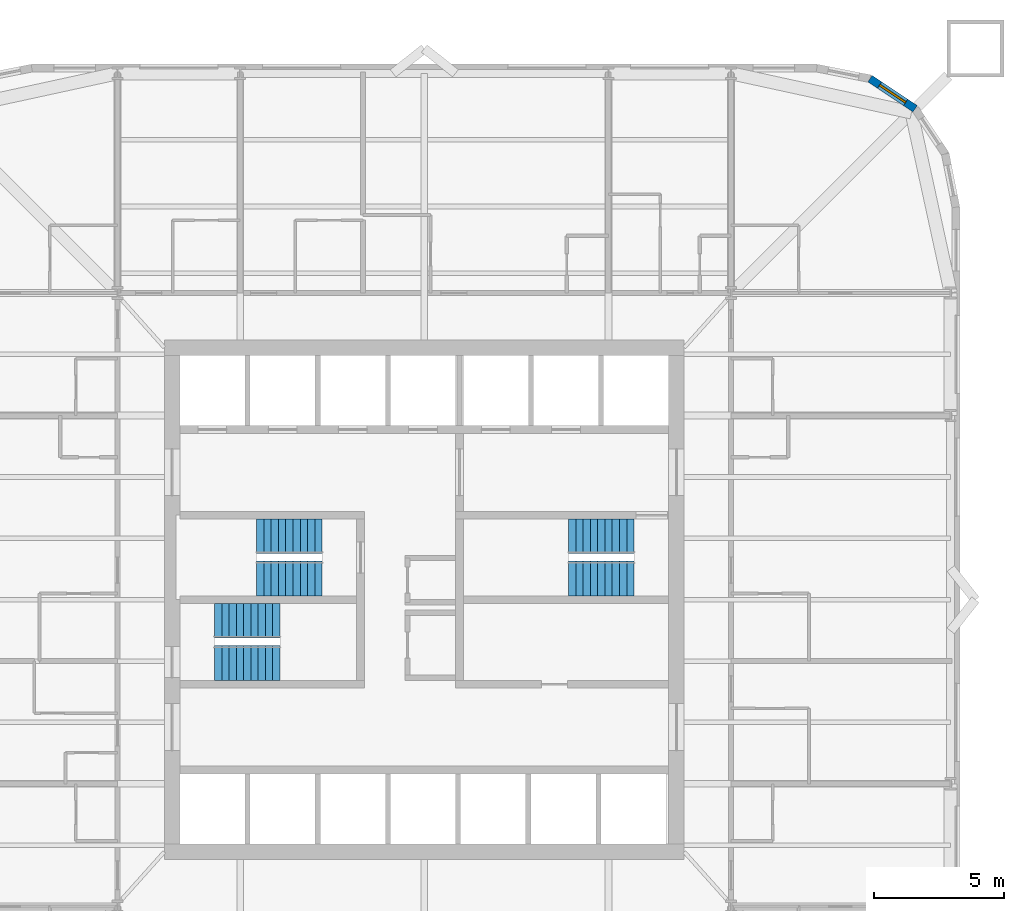
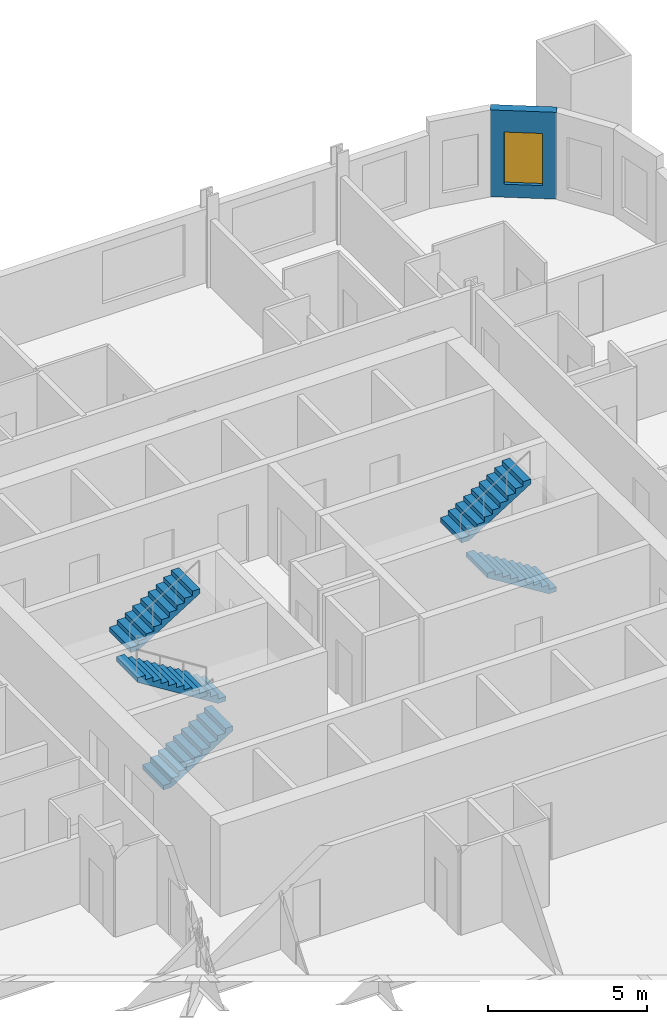
# One storey, part 8 of 9: 6 stair flights, 1 wall, 1 window, 1 opening, 3 elements without a shape of their own.
"""IFC4 building model written with IfcOpenShell, lengths in metres."""

from ifc_helpers import new_model, si_unit, direction, frame, frame_2d, origin, place, context, subcontext, project, spatial, polyline, rectangle, outline, extrude, material, layer, layer_set, type_object, element, fill, aggregate, save


model = new_model("IFC4")

# Units and contexts
model_context = context("Model", 3, precision=1e-05, world=origin(), true_north=direction((0.0, 1.0)))
body_context = subcontext(model_context, "Body", "Model", "MODEL_VIEW")
ifc_project = project(units=[si_unit("LENGTHUNIT", "METRE"), si_unit("AREAUNIT", "SQUARE_METRE"), si_unit("VOLUMEUNIT", "CUBIC_METRE"), si_unit("PLANEANGLEUNIT", "RADIAN"), si_unit("MASSUNIT", "GRAM", prefix="KILO")], contexts=[model_context])

# Site, building, storey
site_placement = place(None, origin())
site = spatial("IfcSite", under=ifc_project, at=site_placement, CompositionType="ELEMENT")
building_placement = place(site_placement, origin())
building = spatial("IfcBuilding", under=site, at=building_placement, Name="Turquesa Mirador Hotel Tower", CompositionType="ELEMENT")
storey_placement = place(building_placement, frame((0.0, 0.0, 124.89990234375)))
storey = spatial("IfcBuildingStorey", under=building, at=storey_placement, Name="L33", CompositionType="ELEMENT", Elevation=124.89990234375)

# Wall, opening, window
ifc_material_1 = material(Name="Limestone cladding on concrete block", Category="masonry")
ifc_layer = layer(ifc_material_1, 0.300048828125)
ifc_layer_set = layer_set([ifc_layer], Name="FACADE WALL 300 STONE SCREEN")
wall_type = type_object("IfcWallType", Name="FACADE WALL 300 STONE SCREEN", PredefinedType="SOLIDWALL", material=ifc_layer_set)
wall_placement = place(storey_placement, frame((73.883056640625, 63.883056640625, 0.0), z_axis=(0.0, 0.0, 1.0), x_axis=(-0.831474039234, 0.555563607591, 0.0)))
wall = element("IfcWall", 1, at=wall_placement, inside=storey, type_object=wall_type, Name="Facade wall L33 07", PredefinedType="SOLIDWALL", context=body_context, shape_type="SweptSolid", body=[
    extrude(rectangle(XDim=2.08740234375, YDim=0.300048828125, at=frame_2d((1.043701171875, 0.0))), origin(), (0.0, 0.0, 1.0), 3.330078125),
])
opening_placement = place(wall_placement, frame((0.443603515625, 0.0, 0.5)))
opening = element("IfcOpeningElement", 2, at=opening_placement, cuts=wall, Name="Opening WN4", PredefinedType="OPENING", context=body_context, shape_type="SweptSolid", body=[
    extrude(rectangle(XDim=1.199951171875, YDim=2.0, at=frame_2d((0.60009765625, 1.0))), frame((0.0, 0.159912109375, 0.0), z_axis=(0.0, -1.0, 0.0), x_axis=(1.0, 0.0, 0.0)), (0.0, 0.0, 1.0), 0.320068359375),
])
ifc_material_2 = material(Name="Ceramic-fritted laminated glass", Category="glass")
window_type = type_object("IfcWindowType", Name="FRITTED CORNER WINDOW 1200X2000", PartitioningType="DOUBLE_PANEL_HORIZONTAL", PredefinedType="WINDOW", material=ifc_material_2)
window_placement = place(opening_placement, origin())
window = element("IfcWindow", 3, at=window_placement, inside=storey, type_object=window_type, Name="Window L33", OverallHeight=2.0, OverallWidth=1.199951171875, PartitioningType="SINGLE_PANEL", PredefinedType="WINDOW", context=body_context, shape_type="SweptSolid", body=[
    extrude(rectangle(XDim=1.199951171875, YDim=2.0, at=frame_2d((0.60009765625, 1.0))), frame((0.0, 0.030029296875, 0.0), z_axis=(0.0, -1.0, 0.0), x_axis=(1.0, 0.0, 0.0)), (0.0, 0.0, 1.0), 0.06005859375),
])
fill(opening, window)

# Stair, stair flights
ifc_material_3 = material(Name="Concrete C35/45", Category="concrete")
stair_type = type_object("IfcStairType", Name="ESCAPE STAIR CORE", PredefinedType="HALF_TURN_STAIR", material=ifc_material_3)
stair_1_placement = place(storey_placement, origin())
stair_1 = element("IfcStair", 4, at=stair_1_placement, inside=storey, type_object=stair_type, Name="Stair ST1 L33 to L34", PredefinedType="HALF_TURN_STAIR")
ifc_material_4 = material(Name="Concrete C35/45 precast flight", Category="concrete")
stair_flight_type = type_object("IfcStairFlightType", Name="STAIR FLIGHT 1330", PredefinedType="STRAIGHT", material=ifc_material_4)
stair_flight_1_placement = place(storey_placement, frame((51.070068359375, 45.81494140625, 0.0), z_axis=(0.0, 0.0, 1.0), x_axis=(-1.0, 0.0, 0.0)))
stair_flight_1 = element("IfcStairFlight", 5, at=stair_flight_1_placement, type_object=stair_flight_type, Name="ST1 flight 1", NumberOfRisers=10, NumberOfTreads=9, PredefinedType="STRAIGHT", RiserHeight=0.175, TreadLength=0.28, context=body_context, shape_type="SweptSolid", body=[
    extrude(outline(polyline([(0.0, 0.0), (0.0, 0.175048828125), (0.280029296875, 0.175048828125), (0.280029296875, 0.35009765625), (0.56005859375, 0.35009765625), (0.56005859375, 0.52490234375), (0.840087890625, 0.52490234375), (0.840087890625, 0.699951171875), (1.1201171875, 0.699951171875), (1.1201171875, 0.875), (1.39990234375, 0.875), (1.39990234375, 1.050048828125), (1.679931640625, 1.050048828125), (1.679931640625, 1.22509765625), (1.9599609375, 1.22509765625), (1.9599609375, 1.39990234375), (2.239990234375, 1.39990234375), (2.239990234375, 1.574951171875), (2.52001953125, 1.574951171875), (2.52001953125, 1.75), (2.52001953125, 1.398193359375), (0.28271484375, 0.0), (0.0, 0.0)])), frame((0.0, 0.6650390625, 0.0), z_axis=(0.0, -1.0, 0.0), x_axis=(1.0, 0.0, 0.0)), (0.0, 0.0, 1.0), 1.330078125),
])
stair_flight_2_placement = place(storey_placement, frame((48.550048828125, 47.43505859375, 1.75), z_axis=(0.0, 0.0, 1.0), x_axis=(1.0, 0.0, 0.0)))
stair_flight_2 = element("IfcStairFlight", 6, at=stair_flight_2_placement, type_object=stair_flight_type, Name="ST1 flight 2", NumberOfRisers=10, NumberOfTreads=9, PredefinedType="STRAIGHT", RiserHeight=0.175, TreadLength=0.28, context=body_context, shape_type="SweptSolid", body=[
    extrude(outline(polyline([(0.0, 0.0), (0.0, 0.175048828125), (0.280029296875, 0.175048828125), (0.280029296875, 0.35009765625), (0.56005859375, 0.35009765625), (0.56005859375, 0.52490234375), (0.840087890625, 0.52490234375), (0.840087890625, 0.699951171875), (1.1201171875, 0.699951171875), (1.1201171875, 0.875), (1.39990234375, 0.875), (1.39990234375, 1.050048828125), (1.679931640625, 1.050048828125), (1.679931640625, 1.22509765625), (1.9599609375, 1.22509765625), (1.9599609375, 1.39990234375), (2.239990234375, 1.39990234375), (2.239990234375, 1.574951171875), (2.52001953125, 1.574951171875), (2.52001953125, 1.75), (2.52001953125, 1.398193359375), (0.28271484375, 0.0), (0.0, 0.0)])), frame((0.0, 0.6650390625, 0.0), z_axis=(0.0, -1.0, 0.0), x_axis=(1.0, 0.0, 0.0)), (0.0, 0.0, 1.0), 1.330078125),
])
aggregate(stair_1, [stair_flight_1, stair_flight_2])

stair_2_placement = place(storey_placement, origin())
stair_2 = element("IfcStair", 7, at=stair_2_placement, inside=storey, type_object=stair_type, Name="Stair ST2 L33 to L34", PredefinedType="HALF_TURN_STAIR")
stair_flight_3_placement = place(storey_placement, frame((46.929931640625, 42.56494140625, 0.0), z_axis=(0.0, 0.0, 1.0), x_axis=(1.0, 0.0, 0.0)))
stair_flight_3 = element("IfcStairFlight", 8, at=stair_flight_3_placement, type_object=stair_flight_type, Name="ST2 flight 1", NumberOfRisers=10, NumberOfTreads=9, PredefinedType="STRAIGHT", RiserHeight=0.175, TreadLength=0.28, context=body_context, shape_type="SweptSolid", body=[
    extrude(outline(polyline([(0.0, 0.0), (0.0, 0.175048828125), (0.280029296875, 0.175048828125), (0.280029296875, 0.35009765625), (0.56005859375, 0.35009765625), (0.56005859375, 0.52490234375), (0.840087890625, 0.52490234375), (0.840087890625, 0.699951171875), (1.1201171875, 0.699951171875), (1.1201171875, 0.875), (1.39990234375, 0.875), (1.39990234375, 1.050048828125), (1.679931640625, 1.050048828125), (1.679931640625, 1.22509765625), (1.9599609375, 1.22509765625), (1.9599609375, 1.39990234375), (2.239990234375, 1.39990234375), (2.239990234375, 1.574951171875), (2.52001953125, 1.574951171875), (2.52001953125, 1.75), (2.52001953125, 1.398193359375), (0.28271484375, 0.0), (0.0, 0.0)])), frame((0.0, 0.6650390625, 0.0), z_axis=(0.0, -1.0, 0.0), x_axis=(1.0, 0.0, 0.0)), (0.0, 0.0, 1.0), 1.330078125),
])
stair_flight_4_placement = place(storey_placement, frame((49.449951171875, 44.18505859375, 1.75), z_axis=(0.0, 0.0, 1.0), x_axis=(-1.0, 0.0, 0.0)))
stair_flight_4 = element("IfcStairFlight", 9, at=stair_flight_4_placement, type_object=stair_flight_type, Name="ST2 flight 2", NumberOfRisers=10, NumberOfTreads=9, PredefinedType="STRAIGHT", RiserHeight=0.175, TreadLength=0.28, context=body_context, shape_type="SweptSolid", body=[
    extrude(outline(polyline([(0.0, 0.0), (0.0, 0.175048828125), (0.280029296875, 0.175048828125), (0.280029296875, 0.35009765625), (0.56005859375, 0.35009765625), (0.56005859375, 0.52490234375), (0.840087890625, 0.52490234375), (0.840087890625, 0.699951171875), (1.1201171875, 0.699951171875), (1.1201171875, 0.875), (1.39990234375, 0.875), (1.39990234375, 1.050048828125), (1.679931640625, 1.050048828125), (1.679931640625, 1.22509765625), (1.9599609375, 1.22509765625), (1.9599609375, 1.39990234375), (2.239990234375, 1.39990234375), (2.239990234375, 1.574951171875), (2.52001953125, 1.574951171875), (2.52001953125, 1.75), (2.52001953125, 1.398193359375), (0.28271484375, 0.0), (0.0, 0.0)])), frame((0.0, 0.6650390625, 0.0), z_axis=(0.0, -1.0, 0.0), x_axis=(1.0, 0.0, 0.0)), (0.0, 0.0, 1.0), 1.330078125),
])
aggregate(stair_2, [stair_flight_3, stair_flight_4])

stair_3_placement = place(storey_placement, origin())
stair_3 = element("IfcStair", 10, at=stair_3_placement, inside=storey, type_object=stair_type, Name="Stair ST3 L33 to L34", PredefinedType="HALF_TURN_STAIR")
stair_flight_5_placement = place(storey_placement, frame((63.070068359375, 45.81494140625, 0.0), z_axis=(0.0, 0.0, 1.0), x_axis=(-1.0, 0.0, 0.0)))
stair_flight_5 = element("IfcStairFlight", 11, at=stair_flight_5_placement, type_object=stair_flight_type, Name="ST3 flight 1", NumberOfRisers=10, NumberOfTreads=9, PredefinedType="STRAIGHT", RiserHeight=0.175, TreadLength=0.28, context=body_context, shape_type="SweptSolid", body=[
    extrude(outline(polyline([(0.0, 0.0), (0.0, 0.175048828125), (0.280029296875, 0.175048828125), (0.280029296875, 0.35009765625), (0.56005859375, 0.35009765625), (0.56005859375, 0.52490234375), (0.840087890625, 0.52490234375), (0.840087890625, 0.699951171875), (1.1201171875, 0.699951171875), (1.1201171875, 0.875), (1.39990234375, 0.875), (1.39990234375, 1.050048828125), (1.679931640625, 1.050048828125), (1.679931640625, 1.22509765625), (1.9599609375, 1.22509765625), (1.9599609375, 1.39990234375), (2.239990234375, 1.39990234375), (2.239990234375, 1.574951171875), (2.52001953125, 1.574951171875), (2.52001953125, 1.75), (2.52001953125, 1.398193359375), (0.28271484375, 0.0), (0.0, 0.0)])), frame((0.0, 0.6650390625, 0.0), z_axis=(0.0, -1.0, 0.0), x_axis=(1.0, 0.0, 0.0)), (0.0, 0.0, 1.0), 1.330078125),
])
stair_flight_6_placement = place(storey_placement, frame((60.550048828125, 47.43505859375, 1.75), z_axis=(0.0, 0.0, 1.0), x_axis=(1.0, 0.0, 0.0)))
stair_flight_6 = element("IfcStairFlight", 12, at=stair_flight_6_placement, type_object=stair_flight_type, Name="ST3 flight 2", NumberOfRisers=10, NumberOfTreads=9, PredefinedType="STRAIGHT", RiserHeight=0.175, TreadLength=0.28, context=body_context, shape_type="SweptSolid", body=[
    extrude(outline(polyline([(0.0, 0.0), (0.0, 0.175048828125), (0.280029296875, 0.175048828125), (0.280029296875, 0.35009765625), (0.56005859375, 0.35009765625), (0.56005859375, 0.52490234375), (0.840087890625, 0.52490234375), (0.840087890625, 0.699951171875), (1.1201171875, 0.699951171875), (1.1201171875, 0.875), (1.39990234375, 0.875), (1.39990234375, 1.050048828125), (1.679931640625, 1.050048828125), (1.679931640625, 1.22509765625), (1.9599609375, 1.22509765625), (1.9599609375, 1.39990234375), (2.239990234375, 1.39990234375), (2.239990234375, 1.574951171875), (2.52001953125, 1.574951171875), (2.52001953125, 1.75), (2.52001953125, 1.398193359375), (0.28271484375, 0.0), (0.0, 0.0)])), frame((0.0, 0.6650390625, 0.0), z_axis=(0.0, -1.0, 0.0), x_axis=(1.0, 0.0, 0.0)), (0.0, 0.0, 1.0), 1.330078125),
])
aggregate(stair_3, [stair_flight_5, stair_flight_6])

save(model, "model.ifc")
